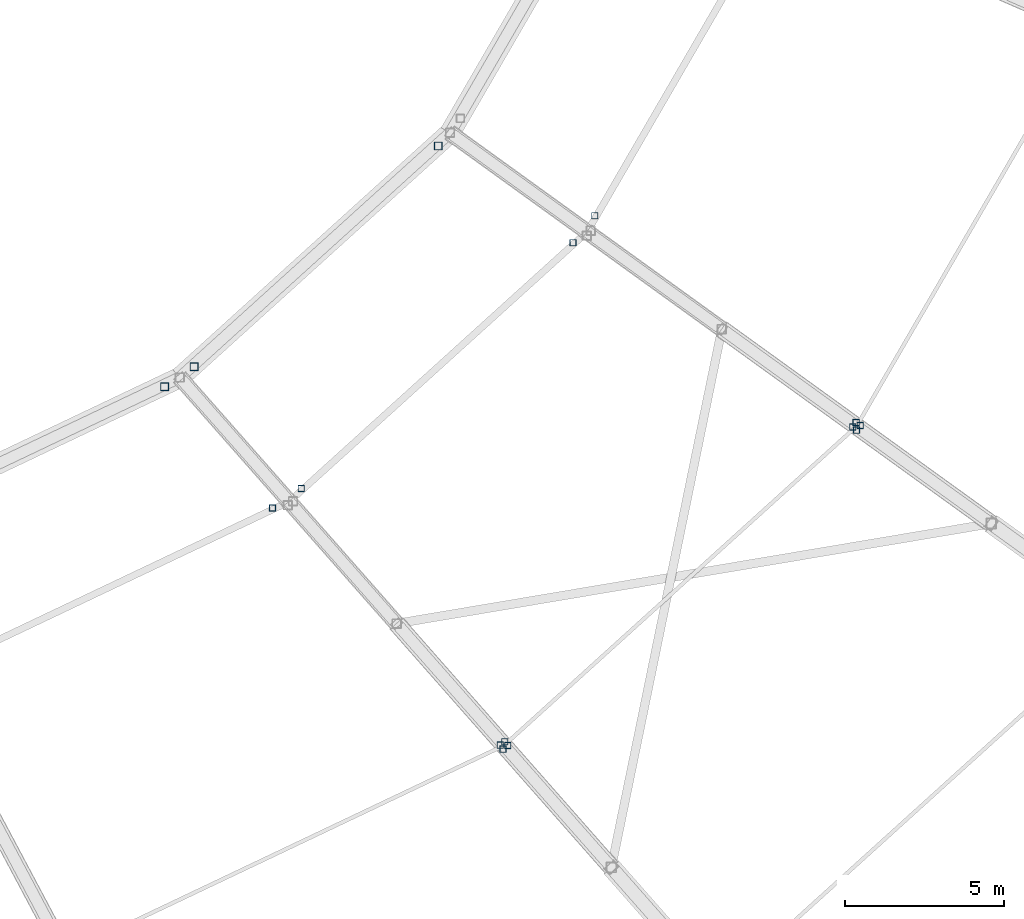
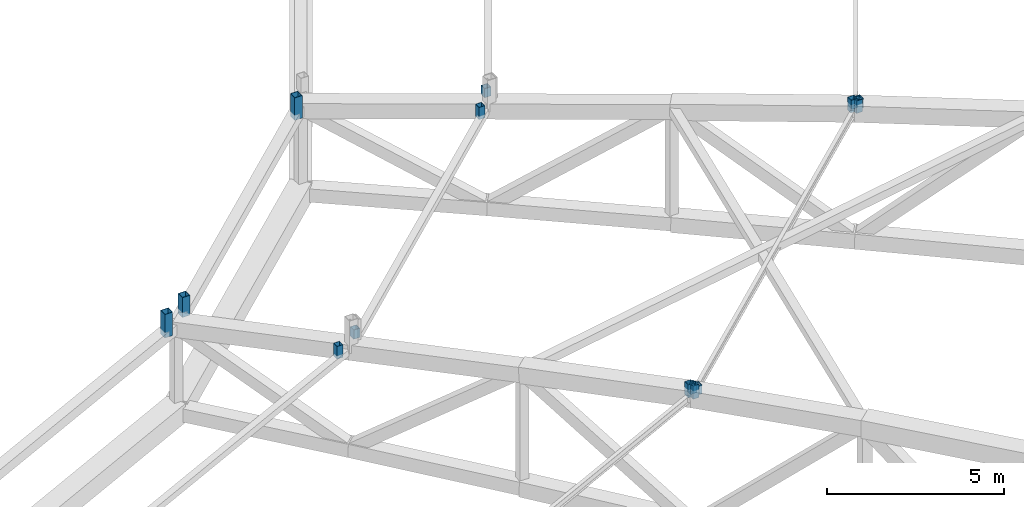
# One storey, part 114 of 162: 15 members.
"""IFC4 building model written with IfcOpenShell, lengths in metres."""

from ifc_helpers import new_model, si_unit, direction, frame, origin, origin_2d, place, context, subcontext, project, spatial, hollow_rectangle, extrude, material, material_profile, profile_set, type_object, element, save


model = new_model("IFC4")

# Units and contexts
model_context = context("Model", 3, precision=1e-05, world=origin(), true_north=direction((0.0, 1.0)))
body_context = subcontext(model_context, "Body", "Model", "MODEL_VIEW")
ifc_project = project(units=[si_unit("LENGTHUNIT", "METRE"), si_unit("AREAUNIT", "SQUARE_METRE"), si_unit("VOLUMEUNIT", "CUBIC_METRE"), si_unit("PLANEANGLEUNIT", "RADIAN"), si_unit("MASSUNIT", "GRAM", prefix="KILO")], contexts=[model_context])

# Site, building, storey
site_placement = place(None, origin())
site = spatial("IfcSite", under=ifc_project, at=site_placement, CompositionType="ELEMENT")
building_placement = place(site_placement, origin())
building = spatial("IfcBuilding", under=site, at=building_placement, Name="Kazemori Nagisa Stadium", CompositionType="ELEMENT")
storey_placement = place(building_placement, frame((0.0, 0.0, 36.719970703125)))
storey = spatial("IfcBuildingStorey", under=building, at=storey_placement, Name="RF", CompositionType="ELEMENT", Elevation=36.719970703125)

# Members
ifc_material = material(Name="Steel STKR490", Category="steel")
ifc_material_profile_1 = material_profile(ifc_material, hollow_rectangle(XDim=0.25, YDim=0.25, WallThickness=0.011962890625, at=origin_2d()), Name="SHS-250x250x12")
ifc_profile_set_1 = profile_set([ifc_material_profile_1], Name="Steel STKR490")
member_type_1 = type_object("IfcMemberType", Name="Member_ST-SHS250", PredefinedType="STUD", material=ifc_profile_set_1)
member_1_placement = place(storey_placement, frame((156.009521484375, 63.69580078125, 4.60595703125), z_axis=(0.0, 0.0, 1.0), x_axis=(1.0, 0.0, 0.0)))
element("IfcMember", 1, at=member_1_placement, inside=storey, type_object=member_type_1, Name="Oculus skylight bearing stool B24-2", PredefinedType="STUD", context=body_context, shape_type="SweptSolid", body=[
    extrude(hollow_rectangle(XDim=0.25, YDim=0.25, WallThickness=0.011962890625, at=origin_2d()), origin(), (0.0, 0.0, 1.0), 0.80712890625),
])
member_2_placement = place(storey_placement, frame((156.938232421875, 64.320556640625, 4.60595703125), z_axis=(0.0, 0.0, 1.0), x_axis=(1.0, 0.0, 0.0)))
element("IfcMember", 2, at=member_2_placement, inside=storey, type_object=member_type_1, Name="Oculus skylight bearing stool B25-1", PredefinedType="STUD", context=body_context, shape_type="SweptSolid", body=[
    extrude(hollow_rectangle(XDim=0.25, YDim=0.25, WallThickness=0.011962890625, at=origin_2d()), origin(), (0.0, 0.0, 1.0), 0.68408203125),
])
member_3_placement = place(storey_placement, frame((164.619384765625, 71.268310546875, 4.510986328125), z_axis=(0.0, 0.0, 1.0), x_axis=(1.0, 0.0, 0.0)))
element("IfcMember", 3, at=member_3_placement, inside=storey, type_object=member_type_1, Name="Oculus skylight bearing stool B25-2", PredefinedType="STUD", context=body_context, shape_type="SweptSolid", body=[
    extrude(hollow_rectangle(XDim=0.25, YDim=0.25, WallThickness=0.011962890625, at=origin_2d()), origin(), (0.0, 0.0, 1.0), 0.779052734375),
])
ifc_material_profile_2 = material_profile(ifc_material, hollow_rectangle(XDim=0.199951171875, YDim=0.199951171875, WallThickness=0.009033203125, at=origin_2d()), Name="SHS-200x200x9")
ifc_profile_set_2 = profile_set([ifc_material_profile_2], Name="Steel STKR490")
member_type_2 = type_object("IfcMemberType", Name="Member_TS-SHS200", PredefinedType="STRUT", material=ifc_profile_set_2)
for number, where, z_axis, x_axis, name in (
    (4, (166.6611328125, 52.285400390625, 5.653076171875), (0.0, 0.0, 1.0), (1.0, 0.0, 0.0), "Canopy bearing stool B24-mid-3"),
    (5, (166.57373046875, 52.41064453125, 5.653076171875), (0.0, 0.0, 1.0), (1.0, 0.0, 0.0), "Canopy bearing stool B24-inner-2"),
):
    element("IfcMember", number, at=place(storey_placement, frame(where, z_axis=z_axis, x_axis=x_axis)), inside=storey, type_object=member_type_2, Name=name, PredefinedType="STRUT", context=body_context, shape_type="SweptSolid", body=[
        extrude(hollow_rectangle(XDim=0.199951171875, YDim=0.199951171875, WallThickness=0.009033203125, at=origin_2d()), origin(), (0.0, 0.0, 1.0), 0.451904296875),
    ])
member_4_placement = place(storey_placement, frame((159.40673828125, 59.873291015625, 4.97509765625), z_axis=(0.0, 0.0, 1.0), x_axis=(1.0, 0.0, 0.0)))
element("IfcMember", 6, at=member_4_placement, inside=storey, type_object=member_type_2, Name="Oculus skylight bearing stool B24-3", PredefinedType="STRUT", context=body_context, shape_type="SweptSolid", body=[
    extrude(hollow_rectangle(XDim=0.199951171875, YDim=0.199951171875, WallThickness=0.009033203125, at=origin_2d()), origin(), (0.0, 0.0, 1.0), 0.43798828125),
])
member_5_placement = place(storey_placement, frame((177.791748046875, 62.325927734375, 5.5380859375), z_axis=(0.0, 0.0, 1.0), x_axis=(1.0, 0.0, 0.0)))
element("IfcMember", 7, at=member_5_placement, inside=storey, type_object=member_type_2, Name="Canopy bearing stool B25-mid-3", PredefinedType="STRUT", context=body_context, shape_type="SweptSolid", body=[
    extrude(hollow_rectangle(XDim=0.199951171875, YDim=0.199951171875, WallThickness=0.009033203125, at=origin_2d()), origin(), (0.0, 0.0, 1.0), 0.429931640625),
])
for number, where, z_axis, x_axis, name in (
    (8, (166.8134765625, 52.399169921875, 5.653076171875), (0.0, 0.0, 1.0), (1.0, 0.0, 0.0), "Canopy bearing stool B25-mid-4"),
    (9, (166.717529296875, 52.518310546875, 5.653076171875), (0.0, 0.0, 1.0), (1.0, 0.0, 0.0), "Canopy bearing stool B25-inner-1"),
):
    element("IfcMember", number, at=place(storey_placement, frame(where, z_axis=z_axis, x_axis=x_axis)), inside=storey, type_object=member_type_2, Name=name, PredefinedType="STRUT", context=body_context, shape_type="SweptSolid", body=[
        extrude(hollow_rectangle(XDim=0.199951171875, YDim=0.199951171875, WallThickness=0.009033203125, at=origin_2d()), origin(), (0.0, 0.0, 1.0), 0.31494140625),
    ])
member_6_placement = place(storey_placement, frame((177.67138671875, 62.426025390625, 5.5380859375), z_axis=(0.0, 0.0, 1.0), x_axis=(1.0, 0.0, 0.0)))
element("IfcMember", 10, at=member_6_placement, inside=storey, type_object=member_type_2, Name="Canopy bearing stool B25-inner-2", PredefinedType="STRUT", context=body_context, shape_type="SweptSolid", body=[
    extrude(hollow_rectangle(XDim=0.199951171875, YDim=0.199951171875, WallThickness=0.009033203125, at=origin_2d()), origin(), (0.0, 0.0, 1.0), 0.429931640625),
])
member_7_placement = place(storey_placement, frame((168.865234375, 68.224609375, 4.8720703125), z_axis=(0.0, 0.0, 1.0), x_axis=(1.0, 0.0, 0.0)))
element("IfcMember", 11, at=member_7_placement, inside=storey, type_object=member_type_2, Name="Oculus skylight bearing stool B25-3", PredefinedType="STRUT", context=body_context, shape_type="SweptSolid", body=[
    extrude(hollow_rectangle(XDim=0.199951171875, YDim=0.199951171875, WallThickness=0.009033203125, at=origin_2d()), origin(), (0.0, 0.0, 1.0), 0.41796875),
])
member_8_placement = place(storey_placement, frame((160.313232421875, 60.48779296875, 4.97509765625), z_axis=(0.0, 0.0, 1.0), x_axis=(1.0, 0.0, 0.0)))
element("IfcMember", 12, at=member_8_placement, inside=storey, type_object=member_type_2, Name="Oculus skylight bearing stool B25-4", PredefinedType="STRUT", context=body_context, shape_type="SweptSolid", body=[
    extrude(hollow_rectangle(XDim=0.199951171875, YDim=0.199951171875, WallThickness=0.009033203125, at=origin_2d()), origin(), (0.0, 0.0, 1.0), 0.31494140625),
])
member_9_placement = place(storey_placement, frame((177.90673828125, 62.472900390625, 5.5380859375), z_axis=(0.0, 0.0, 1.0), x_axis=(1.0, 0.0, 0.0)))
element("IfcMember", 13, at=member_9_placement, inside=storey, type_object=member_type_2, Name="Canopy bearing stool B26-mid-4", PredefinedType="STRUT", context=body_context, shape_type="SweptSolid", body=[
    extrude(hollow_rectangle(XDim=0.199951171875, YDim=0.199951171875, WallThickness=0.009033203125, at=origin_2d()), origin(), (0.0, 0.0, 1.0), 0.3369140625),
])
for number, where, z_axis, x_axis, name in (
    (14, (177.777587890625, 62.5654296875, 5.5380859375), (0.0, 0.0, 1.0), (1.0, 0.0, 0.0), "Canopy bearing stool B26-inner-1"),
    (15, (169.54833984375, 69.074951171875, 4.8720703125), (0.0, 0.0, 1.0), (1.0, 0.0, 0.0), "Oculus skylight bearing stool B26-4"),
):
    element("IfcMember", number, at=place(storey_placement, frame(where, z_axis=z_axis, x_axis=x_axis)), inside=storey, type_object=member_type_2, Name=name, PredefinedType="STRUT", context=body_context, shape_type="SweptSolid", body=[
        extrude(hollow_rectangle(XDim=0.199951171875, YDim=0.199951171875, WallThickness=0.009033203125, at=origin_2d()), origin(), (0.0, 0.0, 1.0), 0.31494140625),
    ])

save(model, "model.ifc")
